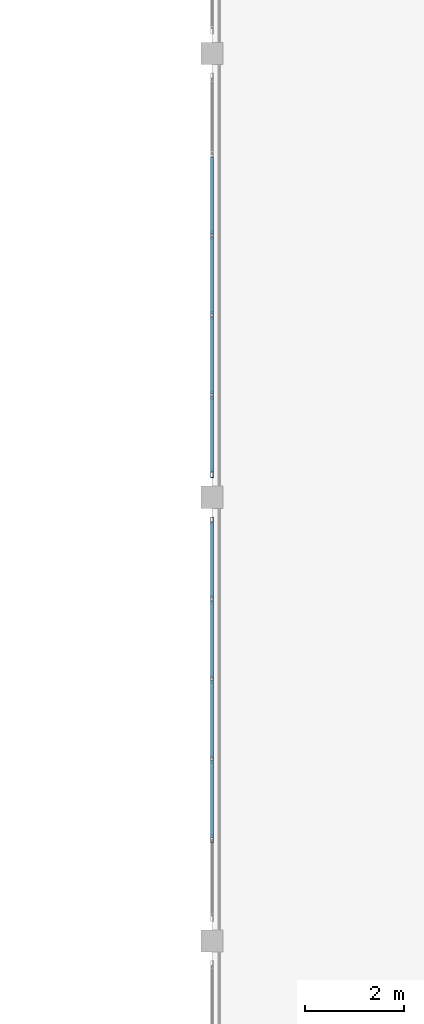
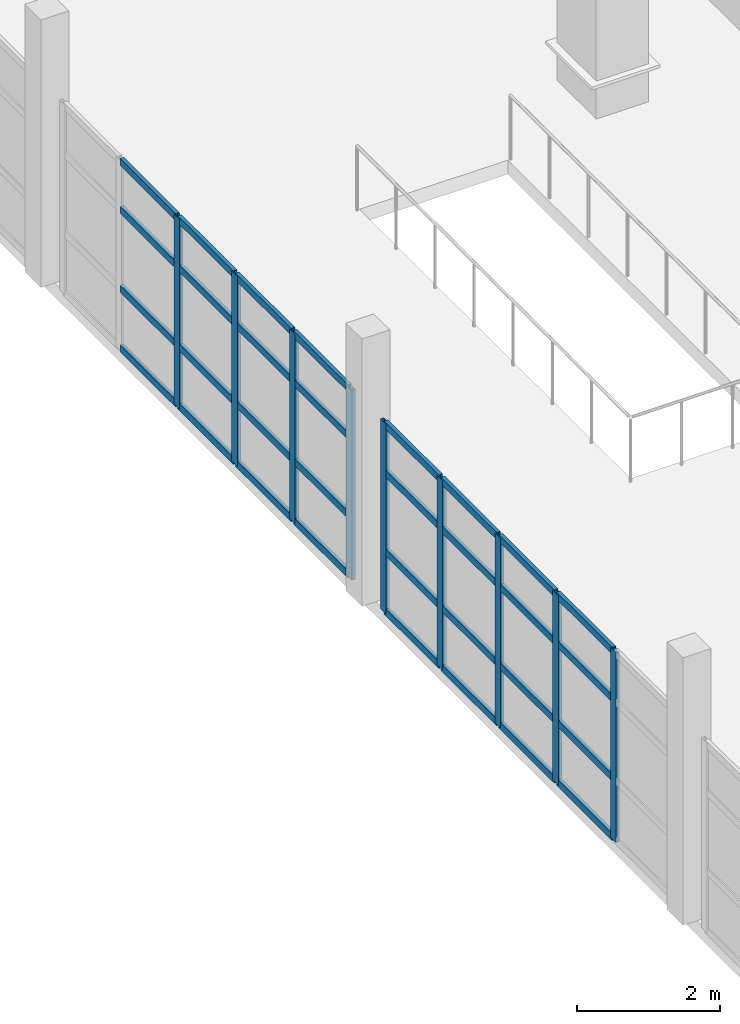
# One storey, part 21 of 80: 41 members, 2 elements without a shape of their own.
"""IFC4 building model written with IfcOpenShell, lengths in metres."""

from ifc_helpers import new_model, si_unit, direction, frame, origin, origin_2d, place, context, subcontext, project, spatial, hollow_rectangle, extrude, material, layer, layer_set, material_profile, profile_set, type_object, element, aggregate, save


model = new_model("IFC4")

# Units and contexts
model_context = context("Model", 3, precision=1e-05, world=origin(), true_north=direction((0.0, 1.0)))
body_context = subcontext(model_context, "Body", "Model", "MODEL_VIEW")
ifc_project = project(units=[si_unit("LENGTHUNIT", "METRE"), si_unit("AREAUNIT", "SQUARE_METRE"), si_unit("VOLUMEUNIT", "CUBIC_METRE"), si_unit("PLANEANGLEUNIT", "RADIAN"), si_unit("MASSUNIT", "GRAM", prefix="KILO")], contexts=[model_context])

# Site, building, storey
site_placement = place(None, origin())
site = spatial("IfcSite", under=ifc_project, at=site_placement, CompositionType="ELEMENT")
building_placement = place(site_placement, origin())
building = spatial("IfcBuilding", under=site, at=building_placement, Name="Ornek Quay Market", CompositionType="ELEMENT")
storey_placement = place(building_placement, frame((0.0, 0.0, 8.39990234375)))
storey = spatial("IfcBuildingStorey", under=building, at=storey_placement, Name="L02", CompositionType="ELEMENT", Elevation=8.39990234375)

# Curtain wall, members
ifc_material_1 = material(Name="Anodised bronze aluminium and triple low-e glass", Category="aluminium")
ifc_layer = layer(ifc_material_1, 0.139892578125, Name="Anodised bronze aluminium and triple low-e glass", Category="aluminium")
ifc_layer_set = layer_set([ifc_layer], Name="Anodised bronze aluminium and triple low-e glass")
curtain_wall_type = type_object("IfcCurtainWallType", Name="CW-GALLERY-INT", PredefinedType="USERDEFINED", material=ifc_layer_set)
curtain_wall_1_placement = place(storey_placement, origin())
curtain_wall_1 = element("IfcCurtainWall", 1, at=curtain_wall_1_placement, inside=storey, type_object=curtain_wall_type, Name="Curtain wall CW-118", ObjectType="CURTAIN WALL", PredefinedType="USERDEFINED")
ifc_material_2 = material(Name="Anodised aluminium 6063-T6", Category="aluminium")
ifc_material_profile_1 = material_profile(ifc_material_2, hollow_rectangle(XDim=0.06005859375, YDim=0.159912109375, WallThickness=0.00390625, at=origin_2d()), Name="CW-MUL-60x160", Category="aluminium")
ifc_profile_set_1 = profile_set([ifc_material_profile_1], Name="Anodised aluminium 6063-T6")
member_type_1 = type_object("IfcMemberType", Name="CW-MUL-60x160", PredefinedType="MULLION", material=ifc_profile_set_1)
member_1_placement = place(storey_placement, frame((108.0, 58.070068359375, 0.0), z_axis=(0.0, 0.0, 1.0), x_axis=(-1.0, 0.0, 0.0)))
member_1 = element("IfcMember", 2, at=member_1_placement, type_object=member_type_1, Name="CW-118 mullion 2", PredefinedType="MULLION", context=body_context, shape_type="SweptSolid", body=[
    extrude(hollow_rectangle(XDim=0.06005859375, YDim=0.159912109375, WallThickness=0.00390625, at=origin_2d()), origin(), (0.0, 0.0, 1.0), 3.25),
])
member_2_placement = place(storey_placement, frame((108.0, 59.68994140625, 0.0), z_axis=(0.0, 0.0, 1.0), x_axis=(-1.0, 0.0, 0.0)))
member_2 = element("IfcMember", 3, at=member_2_placement, type_object=member_type_1, Name="CW-118 mullion 3", PredefinedType="MULLION", context=body_context, shape_type="SweptSolid", body=[
    extrude(hollow_rectangle(XDim=0.06005859375, YDim=0.159912109375, WallThickness=0.00390625, at=origin_2d()), origin(), (0.0, 0.0, 1.0), 3.25),
])
member_3_placement = place(storey_placement, frame((108.0, 61.31005859375, 0.0), z_axis=(0.0, 0.0, 1.0), x_axis=(-1.0, 0.0, 0.0)))
member_3 = element("IfcMember", 4, at=member_3_placement, type_object=member_type_1, Name="CW-118 mullion 4", PredefinedType="MULLION", context=body_context, shape_type="SweptSolid", body=[
    extrude(hollow_rectangle(XDim=0.06005859375, YDim=0.159912109375, WallThickness=0.00390625, at=origin_2d()), origin(), (0.0, 0.0, 1.0), 3.25),
])
member_4_placement = place(storey_placement, frame((108.0, 62.929931640625, 0.0), z_axis=(0.0, 0.0, 1.0), x_axis=(-1.0, 0.0, 0.0)))
member_4 = element("IfcMember", 5, at=member_4_placement, type_object=member_type_1, Name="CW-118 mullion 5", PredefinedType="MULLION", context=body_context, shape_type="SweptSolid", body=[
    extrude(hollow_rectangle(XDim=0.06005859375, YDim=0.159912109375, WallThickness=0.00390625, at=origin_2d()), origin(), (0.0, 0.0, 1.0), 3.25),
])
member_5_placement = place(storey_placement, frame((108.0, 64.52001953125, 0.0), z_axis=(0.0, 0.0, 1.0), x_axis=(-1.0, 0.0, 0.0)))
member_5 = element("IfcMember", 6, at=member_5_placement, type_object=member_type_1, Name="CW-118 mullion 6", PredefinedType="MULLION", context=body_context, shape_type="SweptSolid", body=[
    extrude(hollow_rectangle(XDim=0.06005859375, YDim=0.159912109375, WallThickness=0.00390625, at=origin_2d()), origin(), (0.0, 0.0, 1.0), 3.25),
])

curtain_wall_2_placement = place(storey_placement, origin())
curtain_wall_2 = element("IfcCurtainWall", 7, at=curtain_wall_2_placement, inside=storey, type_object=curtain_wall_type, Name="Curtain wall CW-119", ObjectType="CURTAIN WALL", PredefinedType="USERDEFINED")
member_6_placement = place(storey_placement, frame((108.0, 65.47998046875, 0.0), z_axis=(0.0, 0.0, 1.0), x_axis=(-1.0, 0.0, 0.0)))
member_6 = element("IfcMember", 8, at=member_6_placement, type_object=member_type_1, Name="CW-119 mullion 1", PredefinedType="MULLION", context=body_context, shape_type="SweptSolid", body=[
    extrude(hollow_rectangle(XDim=0.06005859375, YDim=0.159912109375, WallThickness=0.00390625, at=origin_2d()), origin(), (0.0, 0.0, 1.0), 3.25),
])
member_7_placement = place(storey_placement, frame((108.0, 67.070068359375, 0.0), z_axis=(0.0, 0.0, 1.0), x_axis=(-1.0, 0.0, 0.0)))
member_7 = element("IfcMember", 9, at=member_7_placement, type_object=member_type_1, Name="CW-119 mullion 2", PredefinedType="MULLION", context=body_context, shape_type="SweptSolid", body=[
    extrude(hollow_rectangle(XDim=0.06005859375, YDim=0.159912109375, WallThickness=0.00390625, at=origin_2d()), origin(), (0.0, 0.0, 1.0), 3.25),
])
member_8_placement = place(storey_placement, frame((108.0, 68.68994140625, 0.0), z_axis=(0.0, 0.0, 1.0), x_axis=(-1.0, 0.0, 0.0)))
member_8 = element("IfcMember", 10, at=member_8_placement, type_object=member_type_1, Name="CW-119 mullion 3", PredefinedType="MULLION", context=body_context, shape_type="SweptSolid", body=[
    extrude(hollow_rectangle(XDim=0.06005859375, YDim=0.159912109375, WallThickness=0.00390625, at=origin_2d()), origin(), (0.0, 0.0, 1.0), 3.25),
])
member_9_placement = place(storey_placement, frame((108.0, 70.31005859375, 0.0), z_axis=(0.0, 0.0, 1.0), x_axis=(-1.0, 0.0, 0.0)))
member_9 = element("IfcMember", 11, at=member_9_placement, type_object=member_type_1, Name="CW-119 mullion 4", PredefinedType="MULLION", context=body_context, shape_type="SweptSolid", body=[
    extrude(hollow_rectangle(XDim=0.06005859375, YDim=0.159912109375, WallThickness=0.00390625, at=origin_2d()), origin(), (0.0, 0.0, 1.0), 3.25),
])

# Member
ifc_material_profile_2 = material_profile(ifc_material_2, hollow_rectangle(XDim=0.06005859375, YDim=0.1201171875, WallThickness=0.00390625, at=origin_2d()), Name="CW-TRN-60x120", Category="aluminium")
ifc_profile_set_2 = profile_set([ifc_material_profile_2], Name="Anodised aluminium 6063-T6")
member_type_2 = type_object("IfcMemberType", Name="CW-TRN-60x120", PredefinedType="USERDEFINED", material=ifc_profile_set_2)
member_10_placement = place(storey_placement, frame((108.0, 58.10009765625, 0.030029296875), z_axis=(0.0, 1.0, 0.0), x_axis=(-1.0, 0.0, 0.0)))
member_10 = element("IfcMember", 12, at=member_10_placement, type_object=member_type_2, Name="CW-118 transom 2.1", ObjectType="TRANSOM", PredefinedType="USERDEFINED", context=body_context, shape_type="SweptSolid", body=[
    extrude(hollow_rectangle(XDim=0.06005859375, YDim=0.1201171875, WallThickness=0.00390625, at=origin_2d()), origin(), (0.0, 0.0, 1.0), 1.559814453125),
])

member_11_placement = place(storey_placement, frame((108.0, 58.10009765625, 1.050048828125), z_axis=(0.0, 1.0, 0.0), x_axis=(-1.0, 0.0, 0.0)))
member_11 = element("IfcMember", 13, at=member_11_placement, type_object=member_type_2, Name="CW-118 transom 2.2", ObjectType="TRANSOM", PredefinedType="USERDEFINED", context=body_context, shape_type="SweptSolid", body=[
    extrude(hollow_rectangle(XDim=0.06005859375, YDim=0.1201171875, WallThickness=0.00390625, at=origin_2d()), origin(), (0.0, 0.0, 1.0), 1.559814453125),
])

member_12_placement = place(storey_placement, frame((108.0, 58.10009765625, 2.400146484375), z_axis=(0.0, 1.0, 0.0), x_axis=(-1.0, 0.0, 0.0)))
member_12 = element("IfcMember", 14, at=member_12_placement, type_object=member_type_2, Name="CW-118 transom 2.3", ObjectType="TRANSOM", PredefinedType="USERDEFINED", context=body_context, shape_type="SweptSolid", body=[
    extrude(hollow_rectangle(XDim=0.06005859375, YDim=0.1201171875, WallThickness=0.00390625, at=origin_2d()), origin(), (0.0, 0.0, 1.0), 1.559814453125),
])

member_13_placement = place(storey_placement, frame((108.0, 58.10009765625, 3.22021484375), z_axis=(0.0, 1.0, 0.0), x_axis=(-1.0, 0.0, 0.0)))
member_13 = element("IfcMember", 15, at=member_13_placement, type_object=member_type_2, Name="CW-118 transom 2.4", ObjectType="TRANSOM", PredefinedType="USERDEFINED", context=body_context, shape_type="SweptSolid", body=[
    extrude(hollow_rectangle(XDim=0.06005859375, YDim=0.1201171875, WallThickness=0.00390625, at=origin_2d()), origin(), (0.0, 0.0, 1.0), 1.559814453125),
])

member_14_placement = place(storey_placement, frame((108.0, 59.719970703125, 0.030029296875), z_axis=(0.0, 1.0, 0.0), x_axis=(-1.0, 0.0, 0.0)))
member_14 = element("IfcMember", 16, at=member_14_placement, type_object=member_type_2, Name="CW-118 transom 3.1", ObjectType="TRANSOM", PredefinedType="USERDEFINED", context=body_context, shape_type="SweptSolid", body=[
    extrude(hollow_rectangle(XDim=0.06005859375, YDim=0.1201171875, WallThickness=0.00390625, at=origin_2d()), origin(), (0.0, 0.0, 1.0), 1.56005859375),
])

member_15_placement = place(storey_placement, frame((108.0, 59.719970703125, 1.050048828125), z_axis=(0.0, 1.0, 0.0), x_axis=(-1.0, 0.0, 0.0)))
member_15 = element("IfcMember", 17, at=member_15_placement, type_object=member_type_2, Name="CW-118 transom 3.2", ObjectType="TRANSOM", PredefinedType="USERDEFINED", context=body_context, shape_type="SweptSolid", body=[
    extrude(hollow_rectangle(XDim=0.06005859375, YDim=0.1201171875, WallThickness=0.00390625, at=origin_2d()), origin(), (0.0, 0.0, 1.0), 1.56005859375),
])

member_16_placement = place(storey_placement, frame((108.0, 59.719970703125, 2.400146484375), z_axis=(0.0, 1.0, 0.0), x_axis=(-1.0, 0.0, 0.0)))
member_16 = element("IfcMember", 18, at=member_16_placement, type_object=member_type_2, Name="CW-118 transom 3.3", ObjectType="TRANSOM", PredefinedType="USERDEFINED", context=body_context, shape_type="SweptSolid", body=[
    extrude(hollow_rectangle(XDim=0.06005859375, YDim=0.1201171875, WallThickness=0.00390625, at=origin_2d()), origin(), (0.0, 0.0, 1.0), 1.56005859375),
])

member_17_placement = place(storey_placement, frame((108.0, 59.719970703125, 3.22021484375), z_axis=(0.0, 1.0, 0.0), x_axis=(-1.0, 0.0, 0.0)))
member_17 = element("IfcMember", 19, at=member_17_placement, type_object=member_type_2, Name="CW-118 transom 3.4", ObjectType="TRANSOM", PredefinedType="USERDEFINED", context=body_context, shape_type="SweptSolid", body=[
    extrude(hollow_rectangle(XDim=0.06005859375, YDim=0.1201171875, WallThickness=0.00390625, at=origin_2d()), origin(), (0.0, 0.0, 1.0), 1.56005859375),
])

member_18_placement = place(storey_placement, frame((108.0, 61.340087890625, 0.030029296875), z_axis=(0.0, 1.0, 0.0), x_axis=(-1.0, 0.0, 0.0)))
member_18 = element("IfcMember", 20, at=member_18_placement, type_object=member_type_2, Name="CW-118 transom 4.1", ObjectType="TRANSOM", PredefinedType="USERDEFINED", context=body_context, shape_type="SweptSolid", body=[
    extrude(hollow_rectangle(XDim=0.06005859375, YDim=0.1201171875, WallThickness=0.00390625, at=origin_2d()), origin(), (0.0, 0.0, 1.0), 1.559814453125),
])

member_19_placement = place(storey_placement, frame((108.0, 61.340087890625, 1.050048828125), z_axis=(0.0, 1.0, 0.0), x_axis=(-1.0, 0.0, 0.0)))
member_19 = element("IfcMember", 21, at=member_19_placement, type_object=member_type_2, Name="CW-118 transom 4.2", ObjectType="TRANSOM", PredefinedType="USERDEFINED", context=body_context, shape_type="SweptSolid", body=[
    extrude(hollow_rectangle(XDim=0.06005859375, YDim=0.1201171875, WallThickness=0.00390625, at=origin_2d()), origin(), (0.0, 0.0, 1.0), 1.559814453125),
])

member_20_placement = place(storey_placement, frame((108.0, 61.340087890625, 2.400146484375), z_axis=(0.0, 1.0, 0.0), x_axis=(-1.0, 0.0, 0.0)))
member_20 = element("IfcMember", 22, at=member_20_placement, type_object=member_type_2, Name="CW-118 transom 4.3", ObjectType="TRANSOM", PredefinedType="USERDEFINED", context=body_context, shape_type="SweptSolid", body=[
    extrude(hollow_rectangle(XDim=0.06005859375, YDim=0.1201171875, WallThickness=0.00390625, at=origin_2d()), origin(), (0.0, 0.0, 1.0), 1.559814453125),
])

member_21_placement = place(storey_placement, frame((108.0, 61.340087890625, 3.22021484375), z_axis=(0.0, 1.0, 0.0), x_axis=(-1.0, 0.0, 0.0)))
member_21 = element("IfcMember", 23, at=member_21_placement, type_object=member_type_2, Name="CW-118 transom 4.4", ObjectType="TRANSOM", PredefinedType="USERDEFINED", context=body_context, shape_type="SweptSolid", body=[
    extrude(hollow_rectangle(XDim=0.06005859375, YDim=0.1201171875, WallThickness=0.00390625, at=origin_2d()), origin(), (0.0, 0.0, 1.0), 1.559814453125),
])

member_22_placement = place(storey_placement, frame((108.0, 62.9599609375, 0.030029296875), z_axis=(0.0, 1.0, 0.0), x_axis=(-1.0, 0.0, 0.0)))
member_22 = element("IfcMember", 24, at=member_22_placement, type_object=member_type_2, Name="CW-118 transom 5.1", ObjectType="TRANSOM", PredefinedType="USERDEFINED", context=body_context, shape_type="SweptSolid", body=[
    extrude(hollow_rectangle(XDim=0.06005859375, YDim=0.1201171875, WallThickness=0.00390625, at=origin_2d()), origin(), (0.0, 0.0, 1.0), 1.530029296875),
])

member_23_placement = place(storey_placement, frame((108.0, 62.9599609375, 1.050048828125), z_axis=(0.0, 1.0, 0.0), x_axis=(-1.0, 0.0, 0.0)))
member_23 = element("IfcMember", 25, at=member_23_placement, type_object=member_type_2, Name="CW-118 transom 5.2", ObjectType="TRANSOM", PredefinedType="USERDEFINED", context=body_context, shape_type="SweptSolid", body=[
    extrude(hollow_rectangle(XDim=0.06005859375, YDim=0.1201171875, WallThickness=0.00390625, at=origin_2d()), origin(), (0.0, 0.0, 1.0), 1.530029296875),
])

member_24_placement = place(storey_placement, frame((108.0, 62.9599609375, 2.400146484375), z_axis=(0.0, 1.0, 0.0), x_axis=(-1.0, 0.0, 0.0)))
member_24 = element("IfcMember", 26, at=member_24_placement, type_object=member_type_2, Name="CW-118 transom 5.3", ObjectType="TRANSOM", PredefinedType="USERDEFINED", context=body_context, shape_type="SweptSolid", body=[
    extrude(hollow_rectangle(XDim=0.06005859375, YDim=0.1201171875, WallThickness=0.00390625, at=origin_2d()), origin(), (0.0, 0.0, 1.0), 1.530029296875),
])

member_25_placement = place(storey_placement, frame((108.0, 62.9599609375, 3.22021484375), z_axis=(0.0, 1.0, 0.0), x_axis=(-1.0, 0.0, 0.0)))
member_25 = element("IfcMember", 27, at=member_25_placement, type_object=member_type_2, Name="CW-118 transom 5.4", ObjectType="TRANSOM", PredefinedType="USERDEFINED", context=body_context, shape_type="SweptSolid", body=[
    extrude(hollow_rectangle(XDim=0.06005859375, YDim=0.1201171875, WallThickness=0.00390625, at=origin_2d()), origin(), (0.0, 0.0, 1.0), 1.530029296875),
])

aggregate(curtain_wall_1, [member_1, member_2, member_3, member_4, member_5, member_10, member_11, member_12, member_13, member_14, member_15, member_16, member_17, member_18, member_19, member_20, member_21, member_22, member_23, member_24, member_25])

member_26_placement = place(storey_placement, frame((108.0, 65.510009765625, 0.030029296875), z_axis=(0.0, 1.0, 0.0), x_axis=(-1.0, 0.0, 0.0)))
member_26 = element("IfcMember", 28, at=member_26_placement, type_object=member_type_2, Name="CW-119 transom 1.1", ObjectType="TRANSOM", PredefinedType="USERDEFINED", context=body_context, shape_type="SweptSolid", body=[
    extrude(hollow_rectangle(XDim=0.06005859375, YDim=0.1201171875, WallThickness=0.00390625, at=origin_2d()), origin(), (0.0, 0.0, 1.0), 1.530029296875),
])

member_27_placement = place(storey_placement, frame((108.0, 65.510009765625, 1.050048828125), z_axis=(0.0, 1.0, 0.0), x_axis=(-1.0, 0.0, 0.0)))
member_27 = element("IfcMember", 29, at=member_27_placement, type_object=member_type_2, Name="CW-119 transom 1.2", ObjectType="TRANSOM", PredefinedType="USERDEFINED", context=body_context, shape_type="SweptSolid", body=[
    extrude(hollow_rectangle(XDim=0.06005859375, YDim=0.1201171875, WallThickness=0.00390625, at=origin_2d()), origin(), (0.0, 0.0, 1.0), 1.530029296875),
])

member_28_placement = place(storey_placement, frame((108.0, 65.510009765625, 2.400146484375), z_axis=(0.0, 1.0, 0.0), x_axis=(-1.0, 0.0, 0.0)))
member_28 = element("IfcMember", 30, at=member_28_placement, type_object=member_type_2, Name="CW-119 transom 1.3", ObjectType="TRANSOM", PredefinedType="USERDEFINED", context=body_context, shape_type="SweptSolid", body=[
    extrude(hollow_rectangle(XDim=0.06005859375, YDim=0.1201171875, WallThickness=0.00390625, at=origin_2d()), origin(), (0.0, 0.0, 1.0), 1.530029296875),
])

member_29_placement = place(storey_placement, frame((108.0, 65.510009765625, 3.22021484375), z_axis=(0.0, 1.0, 0.0), x_axis=(-1.0, 0.0, 0.0)))
member_29 = element("IfcMember", 31, at=member_29_placement, type_object=member_type_2, Name="CW-119 transom 1.4", ObjectType="TRANSOM", PredefinedType="USERDEFINED", context=body_context, shape_type="SweptSolid", body=[
    extrude(hollow_rectangle(XDim=0.06005859375, YDim=0.1201171875, WallThickness=0.00390625, at=origin_2d()), origin(), (0.0, 0.0, 1.0), 1.530029296875),
])

member_30_placement = place(storey_placement, frame((108.0, 67.10009765625, 0.030029296875), z_axis=(0.0, 1.0, 0.0), x_axis=(-1.0, 0.0, 0.0)))
member_30 = element("IfcMember", 32, at=member_30_placement, type_object=member_type_2, Name="CW-119 transom 2.1", ObjectType="TRANSOM", PredefinedType="USERDEFINED", context=body_context, shape_type="SweptSolid", body=[
    extrude(hollow_rectangle(XDim=0.06005859375, YDim=0.1201171875, WallThickness=0.00390625, at=origin_2d()), origin(), (0.0, 0.0, 1.0), 1.559814453125),
])

member_31_placement = place(storey_placement, frame((108.0, 67.10009765625, 1.050048828125), z_axis=(0.0, 1.0, 0.0), x_axis=(-1.0, 0.0, 0.0)))
member_31 = element("IfcMember", 33, at=member_31_placement, type_object=member_type_2, Name="CW-119 transom 2.2", ObjectType="TRANSOM", PredefinedType="USERDEFINED", context=body_context, shape_type="SweptSolid", body=[
    extrude(hollow_rectangle(XDim=0.06005859375, YDim=0.1201171875, WallThickness=0.00390625, at=origin_2d()), origin(), (0.0, 0.0, 1.0), 1.559814453125),
])

member_32_placement = place(storey_placement, frame((108.0, 67.10009765625, 2.400146484375), z_axis=(0.0, 1.0, 0.0), x_axis=(-1.0, 0.0, 0.0)))
member_32 = element("IfcMember", 34, at=member_32_placement, type_object=member_type_2, Name="CW-119 transom 2.3", ObjectType="TRANSOM", PredefinedType="USERDEFINED", context=body_context, shape_type="SweptSolid", body=[
    extrude(hollow_rectangle(XDim=0.06005859375, YDim=0.1201171875, WallThickness=0.00390625, at=origin_2d()), origin(), (0.0, 0.0, 1.0), 1.559814453125),
])

member_33_placement = place(storey_placement, frame((108.0, 67.10009765625, 3.22021484375), z_axis=(0.0, 1.0, 0.0), x_axis=(-1.0, 0.0, 0.0)))
member_33 = element("IfcMember", 35, at=member_33_placement, type_object=member_type_2, Name="CW-119 transom 2.4", ObjectType="TRANSOM", PredefinedType="USERDEFINED", context=body_context, shape_type="SweptSolid", body=[
    extrude(hollow_rectangle(XDim=0.06005859375, YDim=0.1201171875, WallThickness=0.00390625, at=origin_2d()), origin(), (0.0, 0.0, 1.0), 1.559814453125),
])

member_34_placement = place(storey_placement, frame((108.0, 68.719970703125, 0.030029296875), z_axis=(0.0, 1.0, 0.0), x_axis=(-1.0, 0.0, 0.0)))
member_34 = element("IfcMember", 36, at=member_34_placement, type_object=member_type_2, Name="CW-119 transom 3.1", ObjectType="TRANSOM", PredefinedType="USERDEFINED", context=body_context, shape_type="SweptSolid", body=[
    extrude(hollow_rectangle(XDim=0.06005859375, YDim=0.1201171875, WallThickness=0.00390625, at=origin_2d()), origin(), (0.0, 0.0, 1.0), 1.56005859375),
])

member_35_placement = place(storey_placement, frame((108.0, 68.719970703125, 1.050048828125), z_axis=(0.0, 1.0, 0.0), x_axis=(-1.0, 0.0, 0.0)))
member_35 = element("IfcMember", 37, at=member_35_placement, type_object=member_type_2, Name="CW-119 transom 3.2", ObjectType="TRANSOM", PredefinedType="USERDEFINED", context=body_context, shape_type="SweptSolid", body=[
    extrude(hollow_rectangle(XDim=0.06005859375, YDim=0.1201171875, WallThickness=0.00390625, at=origin_2d()), origin(), (0.0, 0.0, 1.0), 1.56005859375),
])

member_36_placement = place(storey_placement, frame((108.0, 68.719970703125, 2.400146484375), z_axis=(0.0, 1.0, 0.0), x_axis=(-1.0, 0.0, 0.0)))
member_36 = element("IfcMember", 38, at=member_36_placement, type_object=member_type_2, Name="CW-119 transom 3.3", ObjectType="TRANSOM", PredefinedType="USERDEFINED", context=body_context, shape_type="SweptSolid", body=[
    extrude(hollow_rectangle(XDim=0.06005859375, YDim=0.1201171875, WallThickness=0.00390625, at=origin_2d()), origin(), (0.0, 0.0, 1.0), 1.56005859375),
])

member_37_placement = place(storey_placement, frame((108.0, 68.719970703125, 3.22021484375), z_axis=(0.0, 1.0, 0.0), x_axis=(-1.0, 0.0, 0.0)))
member_37 = element("IfcMember", 39, at=member_37_placement, type_object=member_type_2, Name="CW-119 transom 3.4", ObjectType="TRANSOM", PredefinedType="USERDEFINED", context=body_context, shape_type="SweptSolid", body=[
    extrude(hollow_rectangle(XDim=0.06005859375, YDim=0.1201171875, WallThickness=0.00390625, at=origin_2d()), origin(), (0.0, 0.0, 1.0), 1.56005859375),
])

member_38_placement = place(storey_placement, frame((108.0, 70.340087890625, 0.030029296875), z_axis=(0.0, 1.0, 0.0), x_axis=(-1.0, 0.0, 0.0)))
member_38 = element("IfcMember", 40, at=member_38_placement, type_object=member_type_2, Name="CW-119 transom 4.1", ObjectType="TRANSOM", PredefinedType="USERDEFINED", context=body_context, shape_type="SweptSolid", body=[
    extrude(hollow_rectangle(XDim=0.06005859375, YDim=0.1201171875, WallThickness=0.00390625, at=origin_2d()), origin(), (0.0, 0.0, 1.0), 1.559814453125),
])

member_39_placement = place(storey_placement, frame((108.0, 70.340087890625, 1.050048828125), z_axis=(0.0, 1.0, 0.0), x_axis=(-1.0, 0.0, 0.0)))
member_39 = element("IfcMember", 41, at=member_39_placement, type_object=member_type_2, Name="CW-119 transom 4.2", ObjectType="TRANSOM", PredefinedType="USERDEFINED", context=body_context, shape_type="SweptSolid", body=[
    extrude(hollow_rectangle(XDim=0.06005859375, YDim=0.1201171875, WallThickness=0.00390625, at=origin_2d()), origin(), (0.0, 0.0, 1.0), 1.559814453125),
])

member_40_placement = place(storey_placement, frame((108.0, 70.340087890625, 2.400146484375), z_axis=(0.0, 1.0, 0.0), x_axis=(-1.0, 0.0, 0.0)))
member_40 = element("IfcMember", 42, at=member_40_placement, type_object=member_type_2, Name="CW-119 transom 4.3", ObjectType="TRANSOM", PredefinedType="USERDEFINED", context=body_context, shape_type="SweptSolid", body=[
    extrude(hollow_rectangle(XDim=0.06005859375, YDim=0.1201171875, WallThickness=0.00390625, at=origin_2d()), origin(), (0.0, 0.0, 1.0), 1.559814453125),
])

member_41_placement = place(storey_placement, frame((108.0, 70.340087890625, 3.22021484375), z_axis=(0.0, 1.0, 0.0), x_axis=(-1.0, 0.0, 0.0)))
member_41 = element("IfcMember", 43, at=member_41_placement, type_object=member_type_2, Name="CW-119 transom 4.4", ObjectType="TRANSOM", PredefinedType="USERDEFINED", context=body_context, shape_type="SweptSolid", body=[
    extrude(hollow_rectangle(XDim=0.06005859375, YDim=0.1201171875, WallThickness=0.00390625, at=origin_2d()), origin(), (0.0, 0.0, 1.0), 1.559814453125),
])

aggregate(curtain_wall_2, [member_6, member_7, member_8, member_9, member_26, member_27, member_28, member_29, member_30, member_31, member_32, member_33, member_34, member_35, member_36, member_37, member_38, member_39, member_40, member_41])

save(model, "model.ifc")
